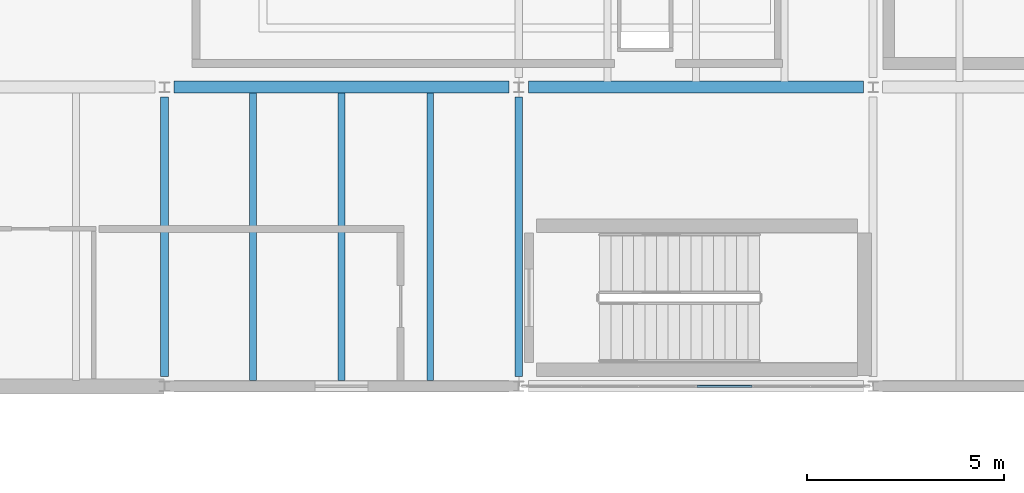
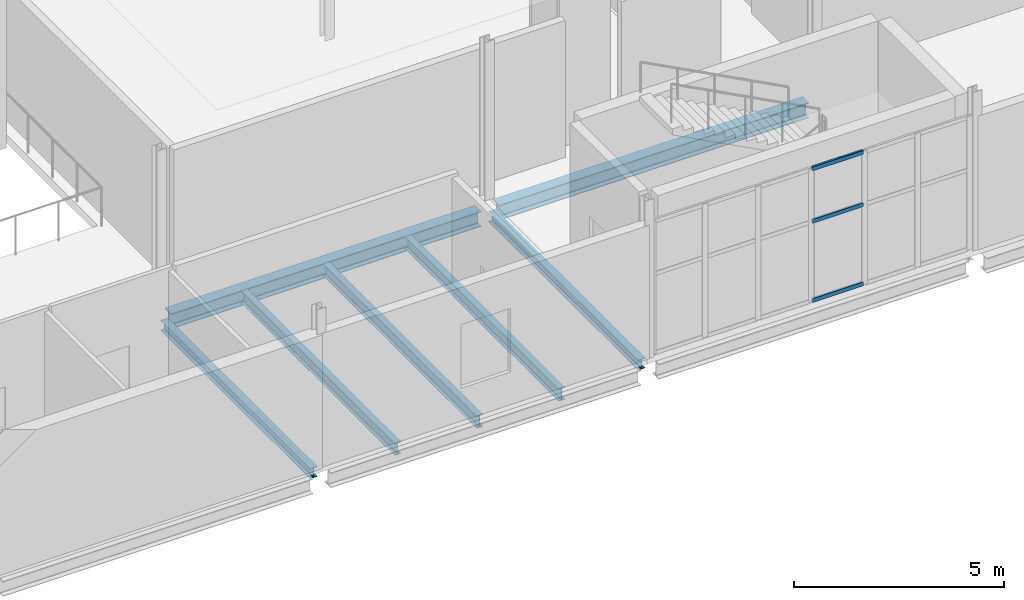
# One storey, part 20 of 37: 7 beams, 3 members, 1 element without a shape of its own.
"""IFC4 building model written with IfcOpenShell, lengths in metres."""

from ifc_helpers import new_model, si_unit, direction, frame, origin, origin_2d, place, context, subcontext, project, spatial, hollow_rectangle, i_section, extrude, material, material_profile, profile_set, type_object, element, aggregate, save


model = new_model("IFC4")

# Units and contexts
model_context = context("Model", 3, precision=1e-05, world=origin(), true_north=direction((0.0, 1.0)))
body_context = subcontext(model_context, "Body", "Model", "MODEL_VIEW")
ifc_project = project(units=[si_unit("LENGTHUNIT", "METRE"), si_unit("AREAUNIT", "SQUARE_METRE"), si_unit("VOLUMEUNIT", "CUBIC_METRE"), si_unit("PLANEANGLEUNIT", "RADIAN"), si_unit("MASSUNIT", "GRAM", prefix="KILO")], contexts=[model_context])

# Site, building, storey
site_placement = place(None, origin())
site = spatial("IfcSite", under=ifc_project, at=site_placement, CompositionType="ELEMENT")
building_placement = place(site_placement, origin())
building = spatial("IfcBuilding", under=site, at=building_placement, Name="Shengluoqiao Park Theatre", CompositionType="ELEMENT")
storey_placement = place(building_placement, frame((0.0, 0.0, 19.199951171875)))
storey = spatial("IfcBuildingStorey", under=building, at=storey_placement, Name="L04", CompositionType="ELEMENT", Elevation=19.199951171875)

# Curtain wall, members
ifc_material_1 = material(Name="Aluminium 6063-T6", Category="aluminium")
curtain_wall_type = type_object("IfcCurtainWallType", Name="ENV-CW-CLERE", PredefinedType="NOTDEFINED", material=ifc_material_1)
curtain_wall_placement = place(storey_placement, origin())
curtain_wall = element("IfcCurtainWall", 1, at=curtain_wall_placement, inside=storey, type_object=curtain_wall_type, Name="L04 Curtain Wall CWX-L04-0201", PredefinedType="NOTDEFINED")
ifc_material_profile_1 = material_profile(ifc_material_1, hollow_rectangle(XDim=0.06005859375, YDim=0.1201171875, WallThickness=0.00390625, InnerFilletRadius=0.00390625, OuterFilletRadius=0.008056640625, at=origin_2d()), Name="ALU TRANSOM 120x60x4")
ifc_profile_set_1 = profile_set([ifc_material_profile_1], Name="Aluminium 6063-T6")
member_type = type_object("IfcMemberType", Name="ENV-TRN-120", PredefinedType="USERDEFINED", material=ifc_profile_set_1)
member_1_placement = place(storey_placement, frame((143.929931640625, 84.0, 0.030029296875), z_axis=(1.0, 0.0, 0.0), x_axis=(0.0, 1.0, 0.0)))
member_1 = element("IfcMember", 2, at=member_1_placement, type_object=member_type, Name="CW-06 transom 4.1", ObjectType="TRANSOM", PredefinedType="USERDEFINED", context=body_context, shape_type="SweptSolid", body=[
    extrude(hollow_rectangle(XDim=0.06005859375, YDim=0.1201171875, WallThickness=0.00390625, InnerFilletRadius=0.00390625, OuterFilletRadius=0.008056640625, at=origin_2d()), origin(), (0.0, 0.0, 1.0), 1.396240234375),
])
member_2_placement = place(storey_placement, frame((143.929931640625, 84.0, 2.3271484375), z_axis=(1.0, 0.0, 0.0), x_axis=(0.0, 1.0, 0.0)))
member_2 = element("IfcMember", 3, at=member_2_placement, type_object=member_type, Name="CW-06 transom 4.2", ObjectType="TRANSOM", PredefinedType="USERDEFINED", context=body_context, shape_type="SweptSolid", body=[
    extrude(hollow_rectangle(XDim=0.06005859375, YDim=0.1201171875, WallThickness=0.00390625, InnerFilletRadius=0.00390625, OuterFilletRadius=0.008056640625, at=origin_2d()), origin(), (0.0, 0.0, 1.0), 1.396240234375),
])
member_3_placement = place(storey_placement, frame((143.929931640625, 84.0, 3.84814453125), z_axis=(1.0, 0.0, 0.0), x_axis=(0.0, 1.0, 0.0)))
member_3 = element("IfcMember", 4, at=member_3_placement, type_object=member_type, Name="CW-06 transom 4.3", ObjectType="TRANSOM", PredefinedType="USERDEFINED", context=body_context, shape_type="SweptSolid", body=[
    extrude(hollow_rectangle(XDim=0.06005859375, YDim=0.1201171875, WallThickness=0.00390625, InnerFilletRadius=0.00390625, OuterFilletRadius=0.008056640625, at=origin_2d()), origin(), (0.0, 0.0, 1.0), 1.396240234375),
])
aggregate(curtain_wall, [member_1, member_2, member_3])

# Beams
ifc_material_2 = material(Name="Steel Q355", Category="steel")
ifc_material_profile_2 = material_profile(ifc_material_2, i_section(OverallWidth=0.199951171875, OverallDepth=0.2939453125, WebThickness=0.008056640625, FlangeThickness=0.011962890625, FilletRadius=0.01611328125, at=origin_2d()), Name="HM 294x200x8x12")
ifc_profile_set_2 = profile_set([ifc_material_profile_2], Name="Steel Q355")
beam_type_1 = type_object("IfcBeamType", Name="STR-BM-G-HM294", PredefinedType="BEAM", material=ifc_profile_set_2)
for number, where, z_axis, x_axis, name in (
    (5, (130.39990234375, 84.243896484375, -0.386962890625), (0.0, 1.0, 0.0), (-1.0, 0.0, 0.0), "L04 Transverse Girder 01563"),
    (6, (139.39990234375, 84.243896484375, -0.386962890625), (0.0, 1.0, 0.0), (-1.0, 0.0, 0.0), "L04 Transverse Girder 01565"),
):
    element("IfcBeam", number, at=place(storey_placement, frame(where, z_axis=z_axis, x_axis=x_axis)), inside=storey, type_object=beam_type_1, Name=name, PredefinedType="BEAM", context=body_context, shape_type="SweptSolid", body=[
        extrude(i_section(OverallWidth=0.199951171875, OverallDepth=0.2939453125, WebThickness=0.008056640625, FlangeThickness=0.011962890625, FilletRadius=0.01611328125, at=origin_2d()), origin(), (0.0, 0.0, 1.0), 7.112060546875),
    ])
ifc_material_profile_3 = material_profile(ifc_material_2, i_section(OverallWidth=0.300048828125, OverallDepth=0.43994140625, WebThickness=0.010986328125, FlangeThickness=0.01806640625, FilletRadius=0.02001953125, at=origin_2d()), Name="HM 440x300x11x18")
ifc_profile_set_3 = profile_set([ifc_material_profile_3], Name="Steel Q355")
beam_type_2 = type_object("IfcBeamType", Name="STR-BM-G-HM440", PredefinedType="BEAM", material=ifc_profile_set_3)
for number, where, z_axis, x_axis, name in (
    (7, (130.64404296875, 91.60009765625, -0.4599609375), (1.0, 0.0, 0.0), (0.0, 1.0, 0.0), "L04 Primary Girder 01554"),
    (8, (139.64404296875, 91.60009765625, -0.4599609375), (1.0, 0.0, 0.0), (0.0, 1.0, 0.0), "L04 Primary Girder 01583"),
):
    element("IfcBeam", number, at=place(storey_placement, frame(where, z_axis=z_axis, x_axis=x_axis)), inside=storey, type_object=beam_type_2, Name=name, PredefinedType="BEAM", context=body_context, shape_type="SweptSolid", body=[
        extrude(i_section(OverallWidth=0.300048828125, OverallDepth=0.43994140625, WebThickness=0.010986328125, FlangeThickness=0.01806640625, FilletRadius=0.02001953125, at=origin_2d()), origin(), (0.0, 0.0, 1.0), 8.511962890625),
    ])
ifc_material_profile_4 = material_profile(ifc_material_2, i_section(OverallWidth=0.175048828125, OverallDepth=0.35009765625, WebThickness=0.007080078125, FlangeThickness=0.010986328125, FilletRadius=0.013916015625, at=origin_2d()), Name="HN 350x175x7x11")
ifc_profile_set_4 = profile_set([ifc_material_profile_4], Name="Steel Q355")
beam_type_3 = type_object("IfcBeamType", Name="STR-BM-J-HN350", PredefinedType="JOIST", material=ifc_profile_set_4)
for number, where, z_axis, x_axis, name in (
    (9, (132.64990234375, 84.14501953125, -0.4150390625), (0.0, 1.0, 0.0), (-1.0, 0.0, 0.0), "L04 Composite Joist 01578"),
    (10, (134.89990234375, 84.14501953125, -0.4150390625), (0.0, 1.0, 0.0), (-1.0, 0.0, 0.0), "L04 Composite Joist 01579"),
    (11, (137.14990234375, 84.14501953125, -0.4150390625), (0.0, 1.0, 0.0), (-1.0, 0.0, 0.0), "L04 Composite Joist 01580"),
):
    element("IfcBeam", number, at=place(storey_placement, frame(where, z_axis=z_axis, x_axis=x_axis)), inside=storey, type_object=beam_type_3, Name=name, PredefinedType="JOIST", context=body_context, shape_type="SweptSolid", body=[
        extrude(i_section(OverallWidth=0.175048828125, OverallDepth=0.35009765625, WebThickness=0.007080078125, FlangeThickness=0.010986328125, FilletRadius=0.013916015625, at=origin_2d()), origin(), (0.0, 0.0, 1.0), 7.31005859375),
    ])

save(model, "model.ifc")
